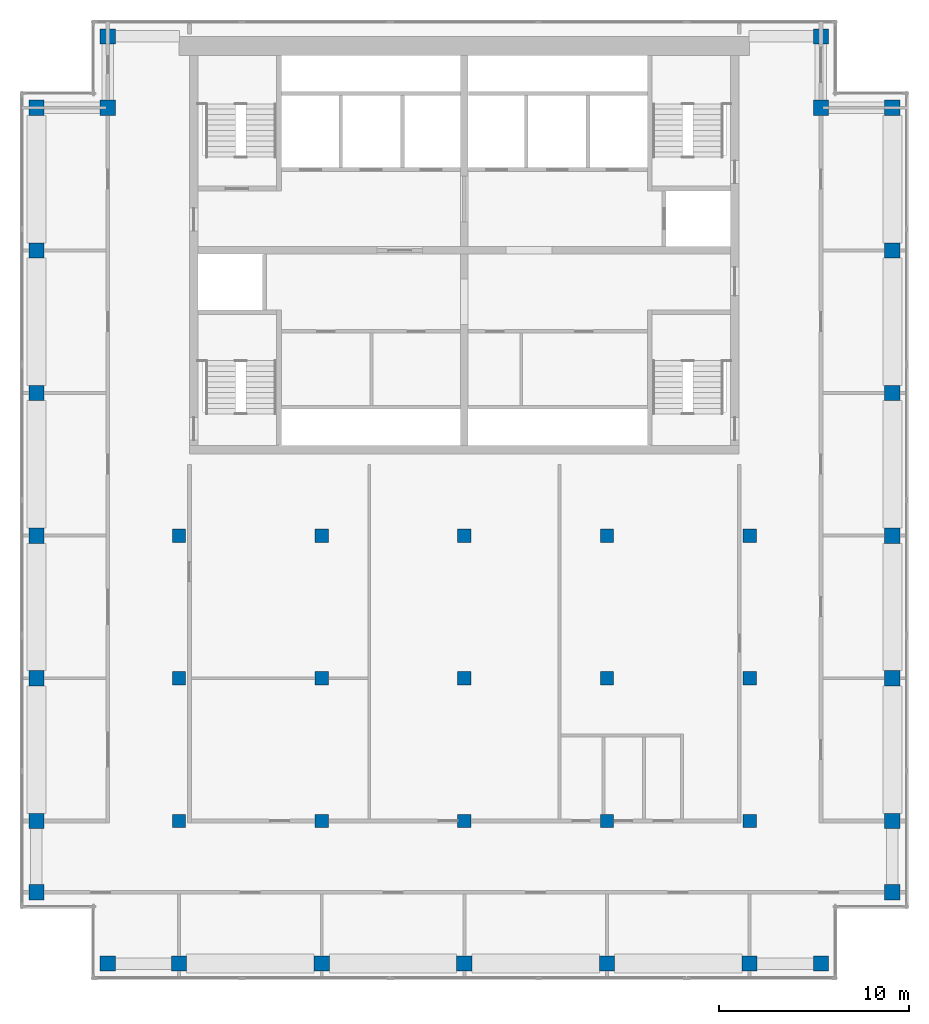
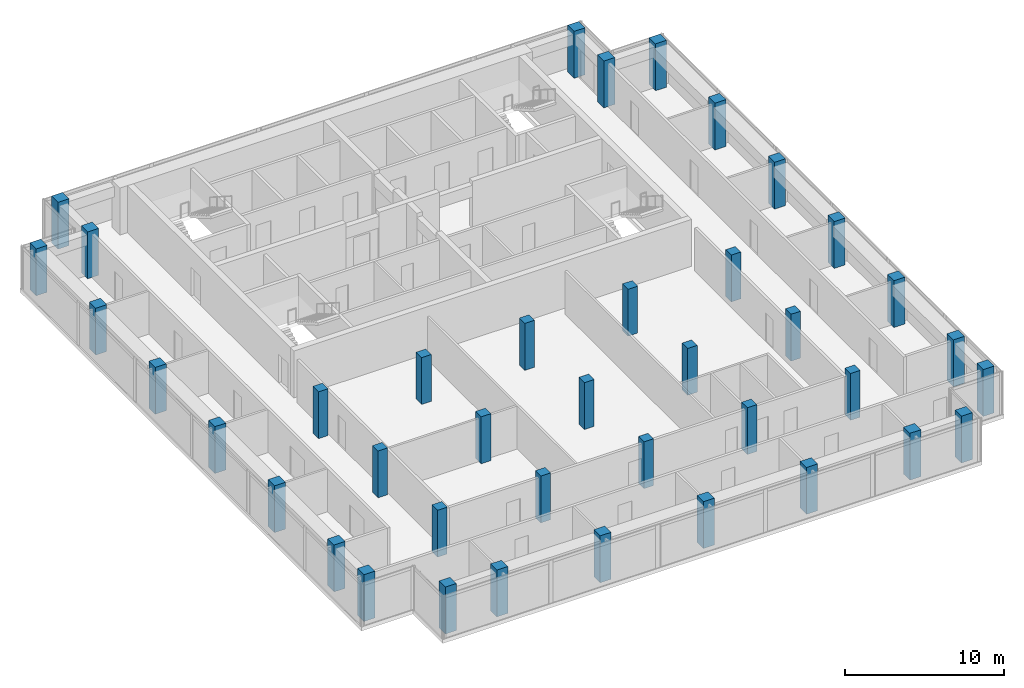
# One storey, part 1 of 9: 40 columns.
"""IFC4 building model written with IfcOpenShell, lengths in metres."""

from ifc_helpers import new_model, si_unit, direction, frame, origin, origin_2d, place, context, subcontext, project, spatial, rectangle, extrude, material, material_profile, profile_set, type_object, element, save


model = new_model("IFC4")

# Units and contexts
model_context = context("Model", 3, precision=1e-05, world=origin(), true_north=direction((0.0, 1.0)))
body_context = subcontext(model_context, "Body", "Model", "MODEL_VIEW")
ifc_project = project(units=[si_unit("LENGTHUNIT", "METRE"), si_unit("AREAUNIT", "SQUARE_METRE"), si_unit("VOLUMEUNIT", "CUBIC_METRE"), si_unit("PLANEANGLEUNIT", "RADIAN"), si_unit("MASSUNIT", "GRAM", prefix="KILO")], contexts=[model_context])

# Site, building, storey
site_placement = place(None, origin())
site = spatial("IfcSite", under=ifc_project, at=site_placement, CompositionType="ELEMENT")
building_placement = place(site_placement, origin())
building = spatial("IfcBuilding", under=site, at=building_placement, Name="Pilkhan Gate Tower", CompositionType="ELEMENT")
storey_placement = place(building_placement, frame((0.0, 0.0, 262.10009765625)))
storey = spatial("IfcBuildingStorey", under=building, at=storey_placement, Name="L68", CompositionType="ELEMENT", Elevation=262.10009765625)

# Columns
ifc_material = material(Name="Concrete C40/50", Category="concrete")
ifc_material_profile_1 = material_profile(ifc_material, rectangle(XDim=0.699951171875, YDim=0.699951171875, at=origin_2d()), Name="RC 700x700")
ifc_profile_set_1 = profile_set([ifc_material_profile_1], Name="Concrete C40/50")
column_type_1 = type_object("IfcColumnType", Name="Column C70 RC 700x700 C40/50", PredefinedType="COLUMN", material=ifc_profile_set_1)
for number, where, z_axis, x_axis, name in (
    (1, (60.0, 52.5, 0.0), (0.0, 0.0, 1.0), (1.0, 0.0, 0.0), "Column 7/D L68"),
    (2, (60.0, 60.0, 0.0), (0.0, 0.0, 1.0), (1.0, 0.0, 0.0), "Column 7/F L68"),
    (3, (60.0, 67.5, 0.0), (0.0, 0.0, 1.0), (1.0, 0.0, 0.0), "Column 7/H L68"),
    (4, (67.5, 52.5, 0.0), (0.0, 0.0, 1.0), (1.0, 0.0, 0.0), "Column 9/D L68"),
    (5, (67.5, 60.0, 0.0), (0.0, 0.0, 1.0), (1.0, 0.0, 0.0), "Column 9/F L68"),
    (6, (67.5, 67.5, 0.0), (0.0, 0.0, 1.0), (1.0, 0.0, 0.0), "Column 9/H L68"),
    (7, (75.0, 52.5, 0.0), (0.0, 0.0, 1.0), (1.0, 0.0, 0.0), "Column 11/D L68"),
    (8, (75.0, 60.0, 0.0), (0.0, 0.0, 1.0), (1.0, 0.0, 0.0), "Column 11/F L68"),
    (9, (75.0, 67.5, 0.0), (0.0, 0.0, 1.0), (1.0, 0.0, 0.0), "Column 11/H L68"),
    (10, (82.5, 52.5, 0.0), (0.0, 0.0, 1.0), (1.0, 0.0, 0.0), "Column 13/D L68"),
    (11, (82.5, 60.0, 0.0), (0.0, 0.0, 1.0), (1.0, 0.0, 0.0), "Column 13/F L68"),
    (12, (82.5, 67.5, 0.0), (0.0, 0.0, 1.0), (1.0, 0.0, 0.0), "Column 13/H L68"),
    (13, (90.0, 52.5, 0.0), (0.0, 0.0, 1.0), (1.0, 0.0, 0.0), "Column 15/D L68"),
    (14, (90.0, 60.0, 0.0), (0.0, 0.0, 1.0), (1.0, 0.0, 0.0), "Column 15/F L68"),
    (15, (90.0, 67.5, 0.0), (0.0, 0.0, 1.0), (1.0, 0.0, 0.0), "Column 15/H L68"),
):
    element("IfcColumn", number, at=place(storey_placement, frame(where, z_axis=z_axis, x_axis=x_axis)), inside=storey, type_object=column_type_1, Name=name, PredefinedType="COLUMN", context=body_context, shape_type="SweptSolid", body=[
        extrude(rectangle(XDim=0.699951171875, YDim=0.699951171875, at=origin_2d()), origin(), (0.0, 0.0, 1.0), 3.599853515625),
    ])
ifc_material_profile_2 = material_profile(ifc_material, rectangle(XDim=0.800048828125, YDim=0.800048828125, at=origin_2d()), Name="RC 800x800")
ifc_profile_set_2 = profile_set([ifc_material_profile_2], Name="Concrete C40/50")
column_type_2 = type_object("IfcColumnType", Name="Column C80 RC 800x800 C40/50", PredefinedType="COLUMN", material=ifc_profile_set_2)
for number, where, z_axis, x_axis, name in (
    (16, (52.5, 48.75, 0.0), (0.0, 0.0, 1.0), (1.0, 0.0, 0.0), "Column 5/C L68"),
    (17, (52.5, 52.5, 0.0), (0.0, 0.0, 1.0), (1.0, 0.0, 0.0), "Column 5/D L68"),
    (18, (52.5, 60.0, 0.0), (0.0, 0.0, 1.0), (1.0, 0.0, 0.0), "Column 5/F L68"),
    (19, (52.5, 67.5, 0.0), (0.0, 0.0, 1.0), (1.0, 0.0, 0.0), "Column 5/H L68"),
    (20, (52.5, 75.0, 0.0), (0.0, 0.0, 1.0), (1.0, 0.0, 0.0), "Column 5/K L68"),
    (21, (52.5, 82.5, 0.0), (0.0, 0.0, 1.0), (1.0, 0.0, 0.0), "Column 5/M L68"),
    (22, (52.5, 90.0, 0.0), (0.0, 0.0, 1.0), (1.0, 0.0, 0.0), "Column 5/P L68"),
    (23, (56.25, 45.0, 0.0), (0.0, 0.0, 1.0), (1.0, 0.0, 0.0), "Column 6/B L68"),
    (24, (56.25, 90.0, 0.0), (0.0, 0.0, 1.0), (1.0, 0.0, 0.0), "Column 6/P L68"),
    (25, (56.25, 93.75, 0.0), (0.0, 0.0, 1.0), (1.0, 0.0, 0.0), "Column 6/Q L68"),
    (26, (60.0, 45.0, 0.0), (0.0, 0.0, 1.0), (1.0, 0.0, 0.0), "Column 7/B L68"),
    (27, (67.5, 45.0, 0.0), (0.0, 0.0, 1.0), (1.0, 0.0, 0.0), "Column 9/B L68"),
    (28, (75.0, 45.0, 0.0), (0.0, 0.0, 1.0), (1.0, 0.0, 0.0), "Column 11/B L68"),
    (29, (82.5, 45.0, 0.0), (0.0, 0.0, 1.0), (1.0, 0.0, 0.0), "Column 13/B L68"),
    (30, (90.0, 45.0, 0.0), (0.0, 0.0, 1.0), (1.0, 0.0, 0.0), "Column 15/B L68"),
    (31, (93.75, 45.0, 0.0), (0.0, 0.0, 1.0), (1.0, 0.0, 0.0), "Column 16/B L68"),
    (32, (93.75, 90.0, 0.0), (0.0, 0.0, 1.0), (1.0, 0.0, 0.0), "Column 16/P L68"),
    (33, (93.75, 93.75, 0.0), (0.0, 0.0, 1.0), (1.0, 0.0, 0.0), "Column 16/Q L68"),
    (34, (97.5, 48.75, 0.0), (0.0, 0.0, 1.0), (1.0, 0.0, 0.0), "Column 17/C L68"),
    (35, (97.5, 52.5, 0.0), (0.0, 0.0, 1.0), (1.0, 0.0, 0.0), "Column 17/D L68"),
    (36, (97.5, 60.0, 0.0), (0.0, 0.0, 1.0), (1.0, 0.0, 0.0), "Column 17/F L68"),
    (37, (97.5, 67.5, 0.0), (0.0, 0.0, 1.0), (1.0, 0.0, 0.0), "Column 17/H L68"),
    (38, (97.5, 75.0, 0.0), (0.0, 0.0, 1.0), (1.0, 0.0, 0.0), "Column 17/K L68"),
    (39, (97.5, 82.5, 0.0), (0.0, 0.0, 1.0), (1.0, 0.0, 0.0), "Column 17/M L68"),
    (40, (97.5, 90.0, 0.0), (0.0, 0.0, 1.0), (1.0, 0.0, 0.0), "Column 17/P L68"),
):
    element("IfcColumn", number, at=place(storey_placement, frame(where, z_axis=z_axis, x_axis=x_axis)), inside=storey, type_object=column_type_2, Name=name, PredefinedType="COLUMN", context=body_context, shape_type="SweptSolid", body=[
        extrude(rectangle(XDim=0.800048828125, YDim=0.800048828125, at=origin_2d()), origin(), (0.0, 0.0, 1.0), 3.599853515625),
    ])

save(model, "model.ifc")
